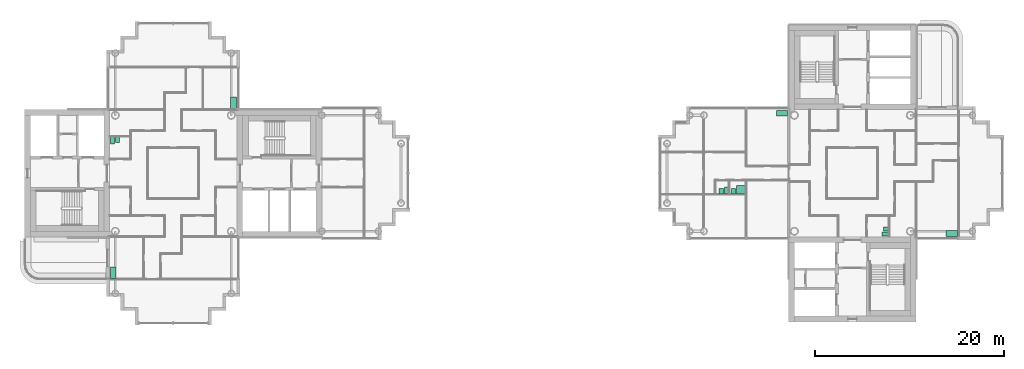
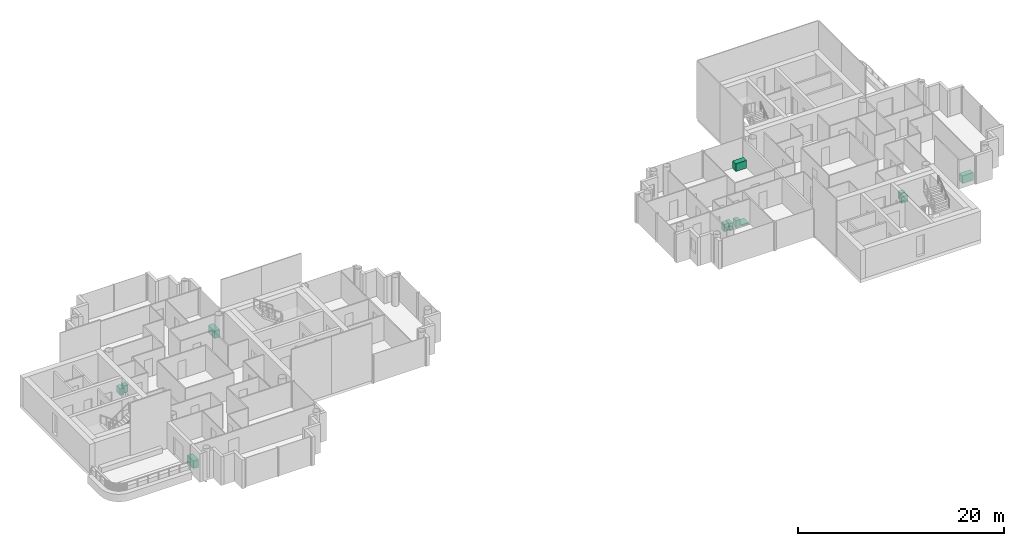
# One storey, part 18 of 18: 12 sanitary terminals.
"""IFC4 building model written with IfcOpenShell, lengths in metres."""

from ifc_helpers import new_model, si_unit, direction, frame, origin, origin_2d, place, context, subcontext, project, spatial, rectangle, extrude, material, type_object, element, save


model = new_model("IFC4")

# Units and contexts
model_context = context("Model", 3, precision=1e-05, world=origin(), true_north=direction((0.0, 1.0)))
body_context = subcontext(model_context, "Body", "Model", "MODEL_VIEW")
ifc_project = project(units=[si_unit("LENGTHUNIT", "METRE"), si_unit("AREAUNIT", "SQUARE_METRE"), si_unit("VOLUMEUNIT", "CUBIC_METRE"), si_unit("PLANEANGLEUNIT", "RADIAN"), si_unit("MASSUNIT", "GRAM", prefix="KILO")], contexts=[model_context])

# Site, building, storey
site_placement = place(None, origin())
site = spatial("IfcSite", under=ifc_project, at=site_placement, CompositionType="ELEMENT")
building_placement = place(site_placement, origin())
building = spatial("IfcBuilding", under=site, at=building_placement, Name="Ipe Terrace Towers", CompositionType="ELEMENT")
storey_placement = place(building_placement, frame((0.0, 0.0, 219.800048828125)))
storey = spatial("IfcBuildingStorey", under=building, at=storey_placement, Name="L61", CompositionType="ELEMENT", Elevation=219.800048828125)

# Sanitary terminals
ifc_material_1 = material(Name="Stainless sink unit", Category="metal")
sanitary_terminal_type_1 = type_object("IfcSanitaryTerminalType", Name="Kitchen sink unit", PredefinedType="SINK", material=ifc_material_1)
for number, where, z_axis, x_axis, name in (
    (1, (-29.6201171875, 7.469970703125, 0.0), (0.0, 0.0, 1.0), (0.0, -1.0, 0.0), "Kitchen sink unit"),
    (2, (-42.3798828125, -10.530029296875, 0.0), (0.0, 0.0, 1.0), (0.0, 1.0, 0.0), "Kitchen sink unit"),
    (3, (28.530029296875, 6.3798828125, 0.0), (0.0, 0.0, 1.0), (1.0, 0.0, 0.0), "Kitchen sink unit"),
    (4, (46.530029296875, -6.3798828125, 0.0), (0.0, 0.0, 1.0), (-1.0, 0.0, 0.0), "Kitchen sink unit"),
):
    element("IfcSanitaryTerminal", number, at=place(storey_placement, frame(where, z_axis=z_axis, x_axis=x_axis)), inside=storey, type_object=sanitary_terminal_type_1, Name=name, PredefinedType="SINK", context=body_context, shape_type="SweptSolid", body=[
        extrude(rectangle(XDim=1.199951171875, YDim=0.60009765625, at=origin_2d()), origin(), (0.0, 0.0, 1.0), 0.89990234375),
    ])
ifc_material_2 = material(Name="Acrylic", Category="plastic")
sanitary_terminal_type_2 = type_object("IfcSanitaryTerminalType", Name="Shower tray", PredefinedType="SHOWER", material=ifc_material_2)
sanitary_terminal_placement = place(storey_placement, frame((24.179931640625, -1.72998046875, 0.0), z_axis=(0.0, 0.0, 1.0), x_axis=(0.0, 1.0, 0.0)))
element("IfcSanitaryTerminal", 5, at=sanitary_terminal_placement, inside=storey, type_object=sanitary_terminal_type_2, Name="Shower tray", PredefinedType="SHOWER", context=body_context, shape_type="SweptSolid", body=[
    extrude(rectangle(XDim=0.89990234375, YDim=0.89990234375, at=origin_2d()), origin(), (0.0, 0.0, 1.0), 0.14990234375),
])
ifc_material_3 = material(Name="Vitreous china", Category="ceramic")
sanitary_terminal_type_3 = type_object("IfcSanitaryTerminalType", Name="Wash basin", PredefinedType="WASHHANDBASIN", material=ifc_material_3)
for number, where, z_axis, x_axis, name in (
    (6, (-41.905029296875, 3.554931640625, 0.0), (0.0, 0.0, 1.0), (0.0, -1.0, 0.0), "Wash basin"),
    (7, (39.554931640625, -5.905029296875, 0.0), (0.0, 0.0, 1.0), (-1.0, 0.0, 0.0), "Wash basin"),
    (8, (23.405029296875, -1.905029296875, 0.0), (0.0, 0.0, 1.0), (0.0, 1.0, 0.0), "Wash basin"),
    (9, (22.10498046875, -1.905029296875, 0.0), (0.0, 0.0, 1.0), (0.0, 1.0, 0.0), "Wash basin"),
):
    element("IfcSanitaryTerminal", number, at=place(storey_placement, frame(where, z_axis=z_axis, x_axis=x_axis)), inside=storey, type_object=sanitary_terminal_type_3, Name=name, PredefinedType="WASHHANDBASIN", context=body_context, shape_type="SweptSolid", body=[
        extrude(rectangle(XDim=0.550048828125, YDim=0.449951171875, at=origin_2d()), origin(), (0.0, 0.0, 1.0), 0.85009765625),
    ])
ifc_material_4 = material(Name="Vitreous china", Category="ceramic")
sanitary_terminal_type_4 = type_object("IfcSanitaryTerminalType", Name="Water closet", PredefinedType="TOILETPAN", material=ifc_material_4)
for number, where, z_axis, x_axis, name in (
    (10, (-42.429931640625, 3.47998046875, 0.0), (0.0, 0.0, 1.0), (0.0, -1.0, 0.0), "Water closet"),
    (11, (39.47998046875, -6.429931640625, 0.0), (0.0, 0.0, 1.0), (-1.0, 0.0, 0.0), "Water closet"),
    (12, (22.6298828125, -1.830078125, 0.0), (0.0, 0.0, 1.0), (0.0, 1.0, 0.0), "Water closet"),
):
    element("IfcSanitaryTerminal", number, at=place(storey_placement, frame(where, z_axis=z_axis, x_axis=x_axis)), inside=storey, type_object=sanitary_terminal_type_4, Name=name, PredefinedType="TOILETPAN", context=body_context, shape_type="SweptSolid", body=[
        extrude(rectangle(XDim=0.699951171875, YDim=0.39990234375, at=origin_2d()), origin(), (0.0, 0.0, 1.0), 0.780029296875),
    ])

save(model, "model.ifc")
